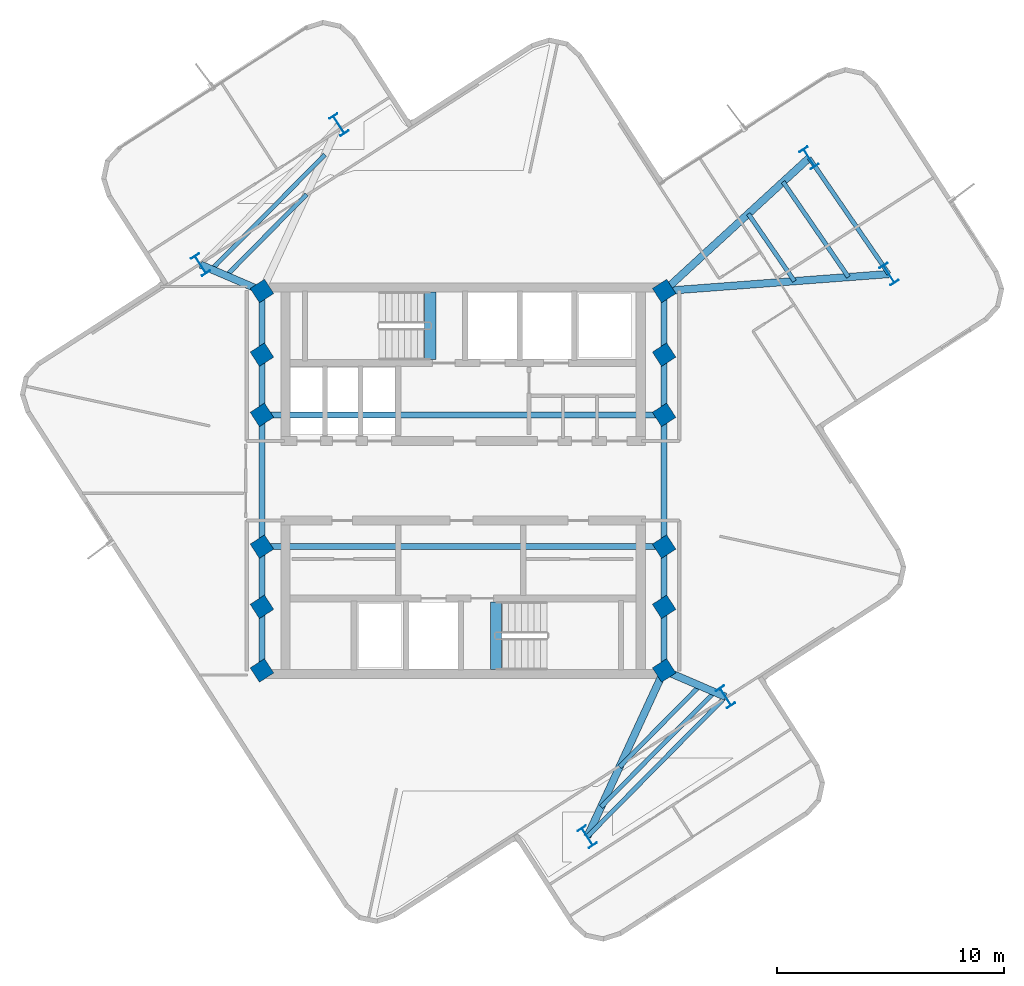
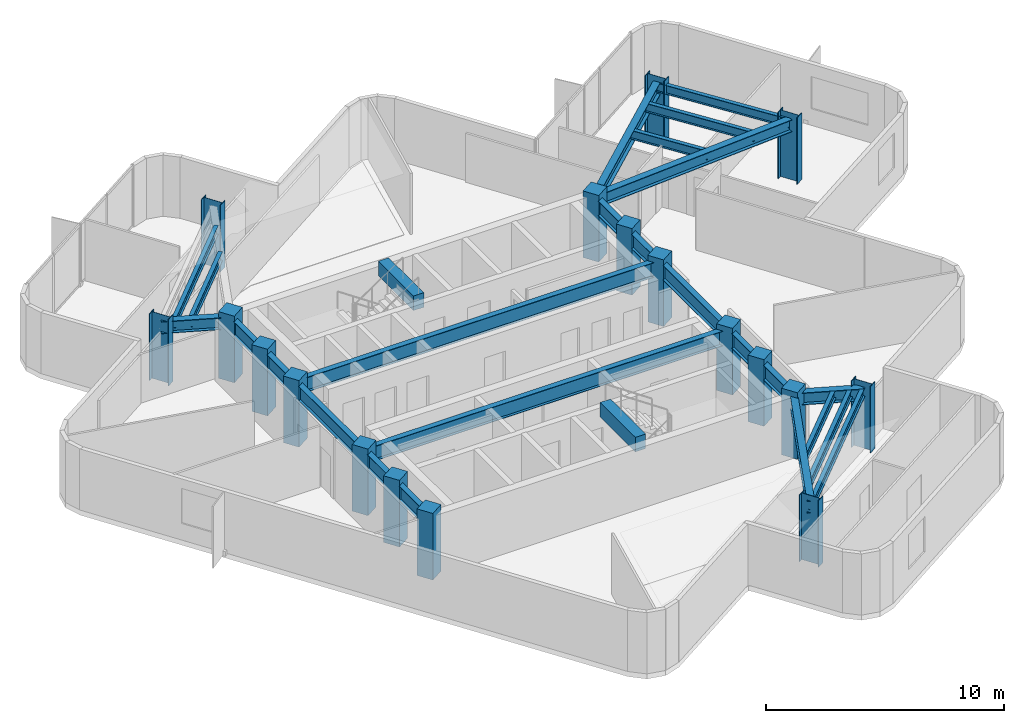
# One storey, part 1 of 8: 27 beams, 18 columns.
"""IFC4 building model written with IfcOpenShell, lengths in metres."""

from ifc_helpers import new_model, si_unit, direction, frame, origin, origin_2d, place, context, subcontext, project, spatial, rectangle, i_section, extrude, material, material_profile, profile_set, type_object, element, save


model = new_model("IFC4")

# Units and contexts
model_context = context("Model", 3, precision=1e-05, world=origin(), true_north=direction((0.0, 1.0)))
body_context = subcontext(model_context, "Body", "Model", "MODEL_VIEW")
ifc_project = project(units=[si_unit("LENGTHUNIT", "METRE"), si_unit("AREAUNIT", "SQUARE_METRE"), si_unit("VOLUMEUNIT", "CUBIC_METRE"), si_unit("PLANEANGLEUNIT", "RADIAN"), si_unit("MASSUNIT", "GRAM", prefix="KILO")], contexts=[model_context])

# Site, building, storey
site_placement = place(None, origin())
site = spatial("IfcSite", under=ifc_project, at=site_placement, CompositionType="ELEMENT")
building_placement = place(site_placement, origin())
building = spatial("IfcBuilding", under=site, at=building_placement, Name="Solmarez Civic Tower", CompositionType="ELEMENT")
storey_placement = place(building_placement, frame((0.0, 0.0, 218.8798828125)))
storey = spatial("IfcBuildingStorey", under=building, at=storey_placement, Name="L58", CompositionType="ELEMENT", Elevation=218.8798828125)

# Columns
ifc_material_1 = material(Name="Concrete C50/60", Category="concrete")
ifc_material_profile_1 = material_profile(ifc_material_1, rectangle(XDim=0.75, YDim=0.75, at=origin_2d()), Name="RC750X750")
ifc_profile_set_1 = profile_set([ifc_material_profile_1], Name="Concrete C50/60")
column_type_1 = type_object("IfcColumnType", Name="COL-RC750", PredefinedType="COLUMN", material=ifc_profile_set_1)
for number, where, z_axis, x_axis, name in (
    (1, (-8.85009765625, -5.550048828125, 0.0), (0.0, 0.0, 1.0), (0.840566603496, 0.541708210283, 0.0), "L58 Structural Column HC1"),
    (2, (-8.85009765625, -2.89990234375, 0.0), (0.0, 0.0, 1.0), (0.840566603496, 0.541708210283, 0.0), "L58 Structural Column HC2"),
    (3, (-8.85009765625, 2.89990234375, 0.0), (0.0, 0.0, 1.0), (0.840566603496, 0.541708210283, 0.0), "L58 Structural Column HC3"),
    (4, (-8.85009765625, 5.550048828125, 0.0), (0.0, 0.0, 1.0), (0.840566603496, 0.541708210283, 0.0), "L58 Structural Column HC4"),
    (5, (8.85009765625, -5.550048828125, 0.0), (0.0, 0.0, 1.0), (0.840566603496, 0.541708210283, 0.0), "L58 Structural Column HC5"),
    (6, (8.85009765625, -2.89990234375, 0.0), (0.0, 0.0, 1.0), (0.840566603496, 0.541708210283, 0.0), "L58 Structural Column HC6"),
    (7, (8.85009765625, 2.89990234375, 0.0), (0.0, 0.0, 1.0), (0.840566603496, 0.541708210283, 0.0), "L58 Structural Column HC7"),
    (8, (8.85009765625, 5.550048828125, 0.0), (0.0, 0.0, 1.0), (0.840566603496, 0.541708210283, 0.0), "L58 Structural Column HC8"),
    (9, (-8.85009765625, 8.35009765625, 0.0), (0.0, 0.0, 1.0), (0.840566603496, 0.541708210283, 0.0), "L58 Structural Column HC9"),
    (10, (8.85009765625, -8.35009765625, 0.0), (0.0, 0.0, 1.0), (0.840566603496, 0.541708210283, 0.0), "L58 Structural Column HC10"),
    (11, (8.85009765625, 8.35009765625, 0.0), (0.0, 0.0, 1.0), (0.840566603496, 0.541708210283, 0.0), "L58 Structural Column HC11"),
    (12, (-8.85009765625, -8.35009765625, 0.0), (0.0, 0.0, 1.0), (0.840566603496, 0.541708210283, 0.0), "L58 Structural Column HC12"),
):
    element("IfcColumn", number, at=place(storey_placement, frame(where, z_axis=z_axis, x_axis=x_axis)), inside=storey, type_object=column_type_1, Name=name, PredefinedType="COLUMN", context=body_context, shape_type="SweptSolid", body=[
        extrude(rectangle(XDim=0.75, YDim=0.75, at=origin_2d()), origin(), (0.0, 0.0, 1.0), 3.420166015625),
    ])
ifc_material_2 = material(Name="Steel S355", Category="steel")
ifc_material_profile_2 = material_profile(ifc_material_2, i_section(OverallWidth=0.41796875, OverallDepth=0.927001953125, WebThickness=0.019287109375, FlangeThickness=0.031982421875, at=origin_2d()), Name="W36X231")
ifc_profile_set_2 = profile_set([ifc_material_profile_2], Name="Steel S355")
column_type_2 = type_object("IfcColumnType", Name="COL-W36X231", PredefinedType="COLUMN", material=ifc_profile_set_2)
for number, where, z_axis, x_axis, name in (
    (13, (18.740966796875, 9.096923828125, 0.0), (0.0, 0.0, 1.0), (0.840566603496, 0.541708210283, 0.0), "L58 Structural Column EA11"),
    (14, (15.23388671875, 14.208984375, 0.0), (0.0, 0.0, 1.0), (0.840566603496, 0.541708210283, 0.0), "L58 Structural Column EA12"),
    (15, (-5.468017578125, 15.6708984375, 0.0), (0.0, 0.0, 1.0), (0.840566603496, 0.541708210283, 0.0), "L58 Structural Column NA11"),
    (16, (-11.553955078125, 9.510009765625, 0.0), (0.0, 0.0, 1.0), (0.840566603496, 0.541708210283, 0.0), "L58 Structural Column NA12"),
    (17, (5.468017578125, -15.6708984375, 0.0), (0.0, 0.0, 1.0), (0.840566603496, 0.541708210283, 0.0), "L58 Structural Column SA11"),
    (18, (11.553955078125, -9.510009765625, 0.0), (0.0, 0.0, 1.0), (0.840566603496, 0.541708210283, 0.0), "L58 Structural Column SA12"),
):
    element("IfcColumn", number, at=place(storey_placement, frame(where, z_axis=z_axis, x_axis=x_axis)), inside=storey, type_object=column_type_2, Name=name, PredefinedType="COLUMN", context=body_context, shape_type="SweptSolid", body=[
        extrude(i_section(OverallWidth=0.41796875, OverallDepth=0.927001953125, WebThickness=0.019287109375, FlangeThickness=0.031982421875, at=origin_2d()), origin(), (0.0, 0.0, 1.0), 3.420166015625),
    ])

# Beams
ifc_material_profile_3 = material_profile(ifc_material_2, i_section(OverallWidth=0.19189453125, OverallDepth=0.462890625, WebThickness=0.010498046875, FlangeThickness=0.017578125, at=origin_2d()), Name="W18X60")
ifc_profile_set_3 = profile_set([ifc_material_profile_3], Name="Steel S355")
beam_type_1 = type_object("IfcBeamType", Name="BM-JS-W18X60", PredefinedType="JOIST", material=ifc_profile_set_3)
beam_1_placement = place(storey_placement, frame((18.740966796875, 9.096923828125, 2.908203125), z_axis=(-0.565711253315, 0.824603406416, 0.0), x_axis=(-0.824603406416, -0.565711253315, 0.0)))
element("IfcBeam", 19, at=beam_1_placement, inside=storey, type_object=beam_type_1, Name="L58 Secondary Floor Joist BM-L58-EA-T1", PredefinedType="JOIST", context=body_context, shape_type="SweptSolid", body=[
    extrude(i_section(OverallWidth=0.19189453125, OverallDepth=0.462890625, WebThickness=0.010498046875, FlangeThickness=0.017578125, at=origin_2d()), origin(), (0.0, 0.0, 1.0), 6.199462890625),
])
beam_2_placement = place(storey_placement, frame((14.5869140625, 8.782958984375, 2.908203125), z_axis=(-0.565666897805, 0.824633834334, 0.0), x_axis=(-0.824633834334, -0.565666897805, 0.0)))
element("IfcBeam", 20, at=beam_2_placement, inside=storey, type_object=beam_type_1, Name="L58 Secondary Floor Joist JS-L58-EA-M11", PredefinedType="JOIST", context=body_context, shape_type="SweptSolid", body=[
    extrude(i_section(OverallWidth=0.19189453125, OverallDepth=0.462890625, WebThickness=0.010498046875, FlangeThickness=0.017578125, at=origin_2d()), origin(), (0.0, 0.0, 1.0), 3.595703125),
])
beam_3_placement = place(storey_placement, frame((16.9609375, 8.962890625, 2.908203125), z_axis=(-0.565800880521, 0.824541911367, 0.0), x_axis=(-0.824541911367, -0.565800880521, 0.0)))
element("IfcBeam", 21, at=beam_3_placement, inside=storey, type_object=beam_type_1, Name="L58 Secondary Floor Joist JS-L58-EA-M12", PredefinedType="JOIST", context=body_context, shape_type="SweptSolid", body=[
    extrude(i_section(OverallWidth=0.19189453125, OverallDepth=0.462890625, WebThickness=0.010498046875, FlangeThickness=0.017578125, at=origin_2d()), origin(), (0.0, 0.0, 1.0), 5.0830078125),
])
beam_4_placement = place(storey_placement, frame((-6.887939453125, 12.595947265625, 2.908203125), z_axis=(-0.702816380081, -0.711371306625, 0.0), x_axis=(0.711371306625, -0.702816380081, 0.0)))
element("IfcBeam", 22, at=beam_4_placement, inside=storey, type_object=beam_type_1, Name="L58 Secondary Floor Joist JS-L58-NA-M11", PredefinedType="JOIST", context=body_context, shape_type="SweptSolid", body=[
    extrude(i_section(OverallWidth=0.19189453125, OverallDepth=0.462890625, WebThickness=0.010498046875, FlangeThickness=0.017578125, at=origin_2d()), origin(), (0.0, 0.0, 1.0), 5.022705078125),
])
beam_5_placement = place(storey_placement, frame((-6.076904296875, 14.35302734375, 2.908203125), z_axis=(-0.702726827997, -0.711459770622, 0.0), x_axis=(0.711459770622, -0.702726827997, 0.0)))
element("IfcBeam", 23, at=beam_5_placement, inside=storey, type_object=beam_type_1, Name="L58 Secondary Floor Joist JS-L58-NA-M12", PredefinedType="JOIST", context=body_context, shape_type="SweptSolid", body=[
    extrude(i_section(OverallWidth=0.19189453125, OverallDepth=0.462890625, WebThickness=0.010498046875, FlangeThickness=0.017578125, at=origin_2d()), origin(), (0.0, 0.0, 1.0), 7.100830078125),
])
beam_6_placement = place(storey_placement, frame((5.468017578125, -15.6708984375, 2.908203125), z_axis=(0.702766092364, 0.711420986072, 0.0), x_axis=(-0.711420986072, 0.702766092364, 0.0)))
element("IfcBeam", 24, at=beam_6_placement, inside=storey, type_object=beam_type_1, Name="L58 Secondary Floor Joist BM-L58-SA-T1", PredefinedType="JOIST", context=body_context, shape_type="SweptSolid", body=[
    extrude(i_section(OverallWidth=0.19189453125, OverallDepth=0.462890625, WebThickness=0.010498046875, FlangeThickness=0.017578125, at=origin_2d()), origin(), (0.0, 0.0, 1.0), 8.659912109375),
])
beam_7_placement = place(storey_placement, frame((6.887939453125, -12.595947265625, 2.908203125), z_axis=(0.702816380081, 0.711371306625, 0.0), x_axis=(-0.711371306625, 0.702816380081, 0.0)))
element("IfcBeam", 25, at=beam_7_placement, inside=storey, type_object=beam_type_1, Name="L58 Secondary Floor Joist JS-L58-SA-M11", PredefinedType="JOIST", context=body_context, shape_type="SweptSolid", body=[
    extrude(i_section(OverallWidth=0.19189453125, OverallDepth=0.462890625, WebThickness=0.010498046875, FlangeThickness=0.017578125, at=origin_2d()), origin(), (0.0, 0.0, 1.0), 5.022705078125),
])
beam_8_placement = place(storey_placement, frame((6.076904296875, -14.35302734375, 2.908203125), z_axis=(0.702726827997, 0.711459770622, 0.0), x_axis=(-0.711459770622, 0.702726827997, 0.0)))
element("IfcBeam", 26, at=beam_8_placement, inside=storey, type_object=beam_type_1, Name="L58 Secondary Floor Joist JS-L58-SA-M12", PredefinedType="JOIST", context=body_context, shape_type="SweptSolid", body=[
    extrude(i_section(OverallWidth=0.19189453125, OverallDepth=0.462890625, WebThickness=0.010498046875, FlangeThickness=0.017578125, at=origin_2d()), origin(), (0.0, 0.0, 1.0), 7.100830078125),
])
ifc_material_profile_4 = material_profile(ifc_material_1, rectangle(XDim=0.5, YDim=0.75, at=origin_2d()), Name="RC500X750")
ifc_profile_set_4 = profile_set([ifc_material_profile_4], Name="Concrete C50/60")
beam_type_2 = type_object("IfcBeamType", Name="BM-PR-RC500X750", PredefinedType="BEAM", material=ifc_profile_set_4)
for number, where, z_axis, x_axis, name in (
    (27, (-1.449951171875, 5.340087890625, 3.05322265625), (0.0, 1.0, 0.0), (-1.0, 0.0, 0.0), "L58 North Stair Threshold Beam"),
    (28, (1.449951171875, -8.300048828125, 3.05322265625), (0.0, 1.0, 0.0), (-1.0, 0.0, 0.0), "L58 South Stair Threshold Beam"),
):
    element("IfcBeam", number, at=place(storey_placement, frame(where, z_axis=z_axis, x_axis=x_axis)), inside=storey, type_object=beam_type_2, Name=name, PredefinedType="BEAM", context=body_context, shape_type="SweptSolid", body=[
        extrude(rectangle(XDim=0.5, YDim=0.75, at=origin_2d()), origin(), (0.0, 0.0, 1.0), 2.9599609375),
    ])
ifc_material_profile_5 = material_profile(ifc_material_2, i_section(OverallWidth=0.327880859375, OverallDepth=0.6220703125, WebThickness=0.015380859375, FlangeThickness=0.0244140625, at=origin_2d()), Name="W24X131")
ifc_profile_set_5 = profile_set([ifc_material_profile_5], Name="Steel S355")
beam_type_3 = type_object("IfcBeamType", Name="BM-PR-W24X131", PredefinedType="BEAM", material=ifc_profile_set_5)
beam_9_placement = place(storey_placement, frame((8.85009765625, 8.35009765625, 2.8291015625), z_axis=(0.997161506076, 0.075292302399, 0.0), x_axis=(-0.075292302399, 0.997161506076, 0.0)))
element("IfcBeam", 29, at=beam_9_placement, inside=storey, type_object=beam_type_3, Name="L58 Primary Floor Beam BM-L58-EA-R1A", PredefinedType="BEAM", context=body_context, shape_type="SweptSolid", body=[
    extrude(i_section(OverallWidth=0.327880859375, OverallDepth=0.6220703125, WebThickness=0.015380859375, FlangeThickness=0.0244140625, at=origin_2d()), origin(), (0.0, 0.0, 1.0), 9.9189453125),
])
beam_10_placement = place(storey_placement, frame((8.85009765625, 8.35009765625, 2.8291015625), z_axis=(0.736746995662, 0.676168517741, 0.0), x_axis=(-0.676168517741, 0.736746995662, 0.0)))
element("IfcBeam", 30, at=beam_10_placement, inside=storey, type_object=beam_type_3, Name="L58 Primary Floor Beam BM-L58-EA-R1B", PredefinedType="BEAM", context=body_context, shape_type="SweptSolid", body=[
    extrude(i_section(OverallWidth=0.327880859375, OverallDepth=0.6220703125, WebThickness=0.015380859375, FlangeThickness=0.0244140625, at=origin_2d()), origin(), (0.0, 0.0, 1.0), 8.664794921875),
])
beam_11_placement = place(storey_placement, frame((-8.85009765625, 8.35009765625, 2.8291015625), z_axis=(-0.919007627325, 0.394239750557, 0.0), x_axis=(-0.394239750557, -0.919007627325, 0.0)))
element("IfcBeam", 31, at=beam_11_placement, inside=storey, type_object=beam_type_3, Name="L58 Primary Floor Beam BM-L58-NA-R1B", PredefinedType="BEAM", context=body_context, shape_type="SweptSolid", body=[
    extrude(i_section(OverallWidth=0.327880859375, OverallDepth=0.6220703125, WebThickness=0.015380859375, FlangeThickness=0.0244140625, at=origin_2d()), origin(), (0.0, 0.0, 1.0), 2.942138671875),
])
beam_12_placement = place(storey_placement, frame((8.85009765625, -8.35009765625, 2.8291015625), z_axis=(-0.419390280967, -0.907806032273, 0.0), x_axis=(0.907806032273, -0.419390280967, 0.0)))
element("IfcBeam", 32, at=beam_12_placement, inside=storey, type_object=beam_type_3, Name="L58 Primary Floor Beam BM-L58-SA-R1A", PredefinedType="BEAM", context=body_context, shape_type="SweptSolid", body=[
    extrude(i_section(OverallWidth=0.327880859375, OverallDepth=0.6220703125, WebThickness=0.015380859375, FlangeThickness=0.0244140625, at=origin_2d()), origin(), (0.0, 0.0, 1.0), 8.064208984375),
])
beam_13_placement = place(storey_placement, frame((8.85009765625, -8.35009765625, 2.8291015625), z_axis=(0.919007627325, -0.394239750557, 0.0), x_axis=(0.394239750557, 0.919007627325, 0.0)))
element("IfcBeam", 33, at=beam_13_placement, inside=storey, type_object=beam_type_3, Name="L58 Primary Floor Beam BM-L58-SA-R1B", PredefinedType="BEAM", context=body_context, shape_type="SweptSolid", body=[
    extrude(i_section(OverallWidth=0.327880859375, OverallDepth=0.6220703125, WebThickness=0.015380859375, FlangeThickness=0.0244140625, at=origin_2d()), origin(), (0.0, 0.0, 1.0), 2.942138671875),
])
ifc_material_profile_6 = material_profile(ifc_material_2, i_section(OverallWidth=0.26708984375, OverallDepth=0.761962890625, WebThickness=0.014404296875, FlangeThickness=0.021484375, at=origin_2d()), Name="W30X116")
ifc_profile_set_6 = profile_set([ifc_material_profile_6], Name="Steel S355")
beam_type_4 = type_object("IfcBeamType", Name="BM-PR-W30X116", PredefinedType="BEAM", material=ifc_profile_set_6)
beam_14_placement = place(storey_placement, frame((-8.85009765625, -8.35009765625, 2.759033203125), z_axis=(0.0, 1.0, 0.0), x_axis=(-1.0, 0.0, 0.0)))
element("IfcBeam", 34, at=beam_14_placement, inside=storey, type_object=beam_type_4, Name="L58 Primary Floor Beam BM-L58-HC12-HC1", PredefinedType="BEAM", context=body_context, shape_type="SweptSolid", body=[
    extrude(i_section(OverallWidth=0.26708984375, OverallDepth=0.761962890625, WebThickness=0.014404296875, FlangeThickness=0.021484375, at=origin_2d()), origin(), (0.0, 0.0, 1.0), 2.800048828125),
])
beam_15_placement = place(storey_placement, frame((-8.85009765625, -5.550048828125, 2.759033203125), z_axis=(0.0, 1.0, 0.0), x_axis=(-1.0, 0.0, 0.0)))
element("IfcBeam", 35, at=beam_15_placement, inside=storey, type_object=beam_type_4, Name="L58 Primary Floor Beam BM-L58-HC1-HC2", PredefinedType="BEAM", context=body_context, shape_type="SweptSolid", body=[
    extrude(i_section(OverallWidth=0.26708984375, OverallDepth=0.761962890625, WebThickness=0.014404296875, FlangeThickness=0.021484375, at=origin_2d()), origin(), (0.0, 0.0, 1.0), 2.650146484375),
])
beam_16_placement = place(storey_placement, frame((-8.85009765625, -2.89990234375, 2.759033203125), z_axis=(0.0, 1.0, 0.0), x_axis=(-1.0, 0.0, 0.0)))
element("IfcBeam", 36, at=beam_16_placement, inside=storey, type_object=beam_type_4, Name="L58 Primary Floor Beam BM-L58-HC2-HC3", PredefinedType="BEAM", context=body_context, shape_type="SweptSolid", body=[
    extrude(i_section(OverallWidth=0.26708984375, OverallDepth=0.761962890625, WebThickness=0.014404296875, FlangeThickness=0.021484375, at=origin_2d()), origin(), (0.0, 0.0, 1.0), 5.7998046875),
])
beam_17_placement = place(storey_placement, frame((-8.85009765625, 2.89990234375, 2.759033203125), z_axis=(0.0, 1.0, 0.0), x_axis=(-1.0, 0.0, 0.0)))
element("IfcBeam", 37, at=beam_17_placement, inside=storey, type_object=beam_type_4, Name="L58 Primary Floor Beam BM-L58-HC3-HC4", PredefinedType="BEAM", context=body_context, shape_type="SweptSolid", body=[
    extrude(i_section(OverallWidth=0.26708984375, OverallDepth=0.761962890625, WebThickness=0.014404296875, FlangeThickness=0.021484375, at=origin_2d()), origin(), (0.0, 0.0, 1.0), 2.650146484375),
])
for number, where, z_axis, x_axis, name in (
    (38, (-8.85009765625, 5.550048828125, 2.759033203125), (0.0, 1.0, 0.0), (-1.0, 0.0, 0.0), "L58 Primary Floor Beam BM-L58-HC4-HC9"),
    (39, (8.85009765625, -8.35009765625, 2.759033203125), (0.0, 1.0, 0.0), (-1.0, 0.0, 0.0), "L58 Primary Floor Beam BM-L58-HC10-HC5"),
):
    element("IfcBeam", number, at=place(storey_placement, frame(where, z_axis=z_axis, x_axis=x_axis)), inside=storey, type_object=beam_type_4, Name=name, PredefinedType="BEAM", context=body_context, shape_type="SweptSolid", body=[
        extrude(i_section(OverallWidth=0.26708984375, OverallDepth=0.761962890625, WebThickness=0.014404296875, FlangeThickness=0.021484375, at=origin_2d()), origin(), (0.0, 0.0, 1.0), 2.800048828125),
    ])
beam_18_placement = place(storey_placement, frame((8.85009765625, -5.550048828125, 2.759033203125), z_axis=(0.0, 1.0, 0.0), x_axis=(-1.0, 0.0, 0.0)))
element("IfcBeam", 40, at=beam_18_placement, inside=storey, type_object=beam_type_4, Name="L58 Primary Floor Beam BM-L58-HC5-HC6", PredefinedType="BEAM", context=body_context, shape_type="SweptSolid", body=[
    extrude(i_section(OverallWidth=0.26708984375, OverallDepth=0.761962890625, WebThickness=0.014404296875, FlangeThickness=0.021484375, at=origin_2d()), origin(), (0.0, 0.0, 1.0), 2.650146484375),
])
beam_19_placement = place(storey_placement, frame((8.85009765625, -2.89990234375, 2.759033203125), z_axis=(0.0, 1.0, 0.0), x_axis=(-1.0, 0.0, 0.0)))
element("IfcBeam", 41, at=beam_19_placement, inside=storey, type_object=beam_type_4, Name="L58 Primary Floor Beam BM-L58-HC6-HC7", PredefinedType="BEAM", context=body_context, shape_type="SweptSolid", body=[
    extrude(i_section(OverallWidth=0.26708984375, OverallDepth=0.761962890625, WebThickness=0.014404296875, FlangeThickness=0.021484375, at=origin_2d()), origin(), (0.0, 0.0, 1.0), 5.7998046875),
])
beam_20_placement = place(storey_placement, frame((8.85009765625, 2.89990234375, 2.759033203125), z_axis=(0.0, 1.0, 0.0), x_axis=(-1.0, 0.0, 0.0)))
element("IfcBeam", 42, at=beam_20_placement, inside=storey, type_object=beam_type_4, Name="L58 Primary Floor Beam BM-L58-HC7-HC8", PredefinedType="BEAM", context=body_context, shape_type="SweptSolid", body=[
    extrude(i_section(OverallWidth=0.26708984375, OverallDepth=0.761962890625, WebThickness=0.014404296875, FlangeThickness=0.021484375, at=origin_2d()), origin(), (0.0, 0.0, 1.0), 2.650146484375),
])
beam_21_placement = place(storey_placement, frame((8.85009765625, 5.550048828125, 2.759033203125), z_axis=(0.0, 1.0, 0.0), x_axis=(-1.0, 0.0, 0.0)))
element("IfcBeam", 43, at=beam_21_placement, inside=storey, type_object=beam_type_4, Name="L58 Primary Floor Beam BM-L58-HC8-HC11", PredefinedType="BEAM", context=body_context, shape_type="SweptSolid", body=[
    extrude(i_section(OverallWidth=0.26708984375, OverallDepth=0.761962890625, WebThickness=0.014404296875, FlangeThickness=0.021484375, at=origin_2d()), origin(), (0.0, 0.0, 1.0), 2.800048828125),
])
for number, where, z_axis, x_axis, name in (
    (44, (-8.85009765625, -2.89990234375, 2.759033203125), (1.0, 0.0, 0.0), (0.0, 1.0, 0.0), "L58 Primary Floor Beam BM-L58-HC2-HC6"),
    (45, (-8.85009765625, 2.89990234375, 2.759033203125), (1.0, 0.0, 0.0), (0.0, 1.0, 0.0), "L58 Primary Floor Beam BM-L58-HC3-HC7"),
):
    element("IfcBeam", number, at=place(storey_placement, frame(where, z_axis=z_axis, x_axis=x_axis)), inside=storey, type_object=beam_type_4, Name=name, PredefinedType="BEAM", context=body_context, shape_type="SweptSolid", body=[
        extrude(i_section(OverallWidth=0.26708984375, OverallDepth=0.761962890625, WebThickness=0.014404296875, FlangeThickness=0.021484375, at=origin_2d()), origin(), (0.0, 0.0, 1.0), 17.7001953125),
    ])

save(model, "model.ifc")
